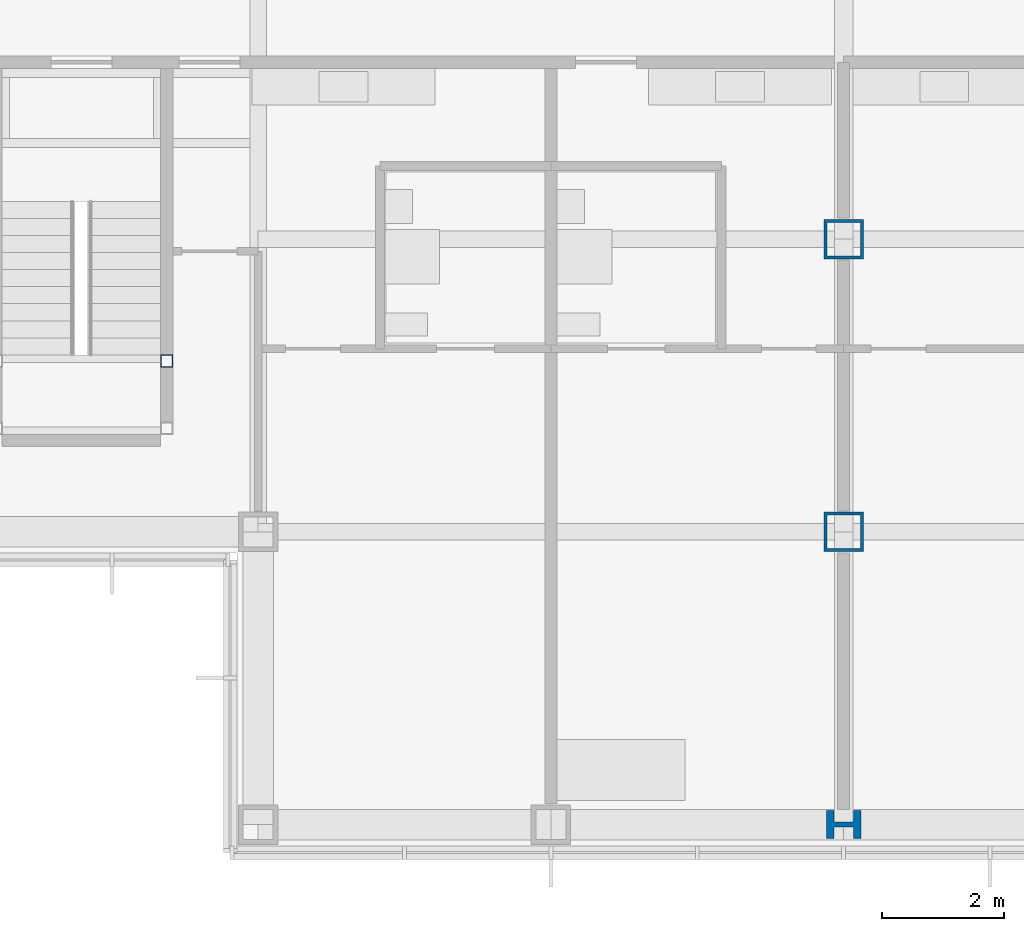
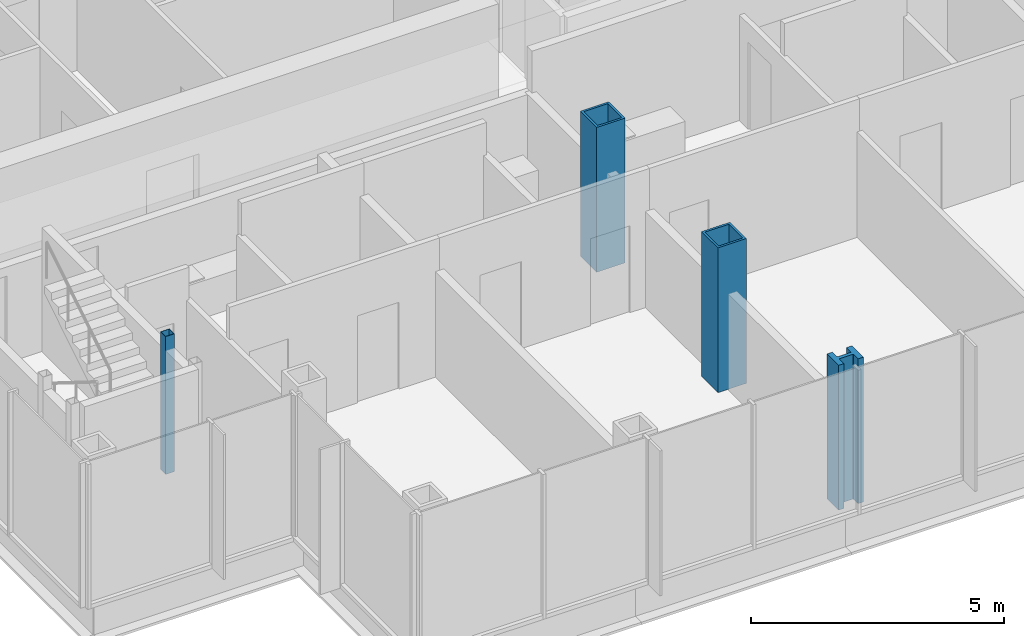
# One storey, part 2 of 19: 4 columns.
"""IFC4 building model written with IfcOpenShell, lengths in metres."""

from ifc_helpers import new_model, si_unit, direction, frame, origin, origin_2d, place, context, subcontext, project, spatial, hollow_rectangle, i_section, extrude, material, material_profile, profile_set, type_object, element, save


model = new_model("IFC4")

# Units and contexts
model_context = context("Model", 3, precision=1e-05, world=origin(), true_north=direction((0.0, 1.0)))
body_context = subcontext(model_context, "Body", "Model", "MODEL_VIEW")
ifc_project = project(units=[si_unit("LENGTHUNIT", "METRE"), si_unit("AREAUNIT", "SQUARE_METRE"), si_unit("VOLUMEUNIT", "CUBIC_METRE"), si_unit("PLANEANGLEUNIT", "RADIAN"), si_unit("MASSUNIT", "GRAM", prefix="KILO")], contexts=[model_context])

# Site, building, storey
site_placement = place(None, origin())
site = spatial("IfcSite", under=ifc_project, at=site_placement, CompositionType="ELEMENT")
building_placement = place(site_placement, origin())
building = spatial("IfcBuilding", under=site, at=building_placement, Name="Kvirike Care Tower", CompositionType="ELEMENT")
storey_placement = place(building_placement, frame((0.0, 0.0, 98.0)))
storey = spatial("IfcBuildingStorey", under=building, at=storey_placement, Name="L26", CompositionType="ELEMENT", Elevation=98.0)

# Columns
ifc_material_1 = material(Name="Steel S460", Category="steel")
ifc_material_profile_1 = material_profile(ifc_material_1, hollow_rectangle(XDim=0.64990234375, YDim=0.64990234375, WallThickness=0.050048828125, at=origin_2d()), Name="BX 650x650x50")
ifc_profile_set_1 = profile_set([ifc_material_profile_1], Name="Steel S460")
column_type_1 = type_object("IfcColumnType", Name="COLUMN BX 650x650x50", PredefinedType="COLUMN", material=ifc_profile_set_1)
for number, where, z_axis, x_axis, name in (
    (1, (28.800048828125, 19.199951171875, 0.0), (0.0, 0.0, 1.0), (1.0, 0.0, 0.0), "Column E9 L26"),
    (2, (28.800048828125, 24.0, 0.0), (0.0, 0.0, 1.0), (1.0, 0.0, 0.0), "Column F9 L26"),
):
    element("IfcColumn", number, at=place(storey_placement, frame(where, z_axis=z_axis, x_axis=x_axis)), inside=storey, type_object=column_type_1, Name=name, PredefinedType="COLUMN", context=body_context, shape_type="SweptSolid", body=[
        extrude(hollow_rectangle(XDim=0.64990234375, YDim=0.64990234375, WallThickness=0.050048828125, at=origin_2d()), origin(), (0.0, 0.0, 1.0), 3.5),
    ])
ifc_material_2 = material(Name="Steel S460", Category="steel")
ifc_material_profile_2 = material_profile(ifc_material_2, i_section(OverallWidth=0.4541015625, OverallDepth=0.569091796875, WebThickness=0.077880859375, FlangeThickness=0.125, FilletRadius=0.014892578125, at=origin_2d()), Name="HD 400x1086")
ifc_profile_set_2 = profile_set([ifc_material_profile_2], Name="Steel S460")
column_type_2 = type_object("IfcColumnType", Name="COLUMN HD 400x1086", PredefinedType="COLUMN", material=ifc_profile_set_2)
column_1_placement = place(storey_placement, frame((28.800048828125, 14.39990234375, 0.0), z_axis=(0.0, 0.0, 1.0), x_axis=(0.0, 1.0, 0.0)))
element("IfcColumn", 3, at=column_1_placement, inside=storey, type_object=column_type_2, Name="Column D9 L26", PredefinedType="COLUMN", context=body_context, shape_type="SweptSolid", body=[
    extrude(i_section(OverallWidth=0.4541015625, OverallDepth=0.569091796875, WebThickness=0.077880859375, FlangeThickness=0.125, FilletRadius=0.014892578125, at=origin_2d()), origin(), (0.0, 0.0, 1.0), 3.5),
])
ifc_material_3 = material(Name="Steel S460", Category="steel")
ifc_material_profile_3 = material_profile(ifc_material_3, hollow_rectangle(XDim=0.199951171875, YDim=0.199951171875, WallThickness=0.008056640625, at=origin_2d()), Name="SHS 200x200x8")
ifc_profile_set_3 = profile_set([ifc_material_profile_3], Name="Steel S460")
column_type_3 = type_object("IfcColumnType", Name="STAIR POST SHS 200x200x8", PredefinedType="COLUMN", material=ifc_profile_set_3)
column_2_placement = place(storey_placement, frame((17.699951171875, 22.0, 0.0), z_axis=(0.0, 0.0, 1.0), x_axis=(1.0, 0.0, 0.0)))
element("IfcColumn", 4, at=column_2_placement, inside=storey, type_object=column_type_3, Name="Stair 5 post 4 L26", PredefinedType="COLUMN", context=body_context, shape_type="SweptSolid", body=[
    extrude(hollow_rectangle(XDim=0.199951171875, YDim=0.199951171875, WallThickness=0.008056640625, at=origin_2d()), origin(), (0.0, 0.0, 1.0), 3.330078125),
])

save(model, "model.ifc")
